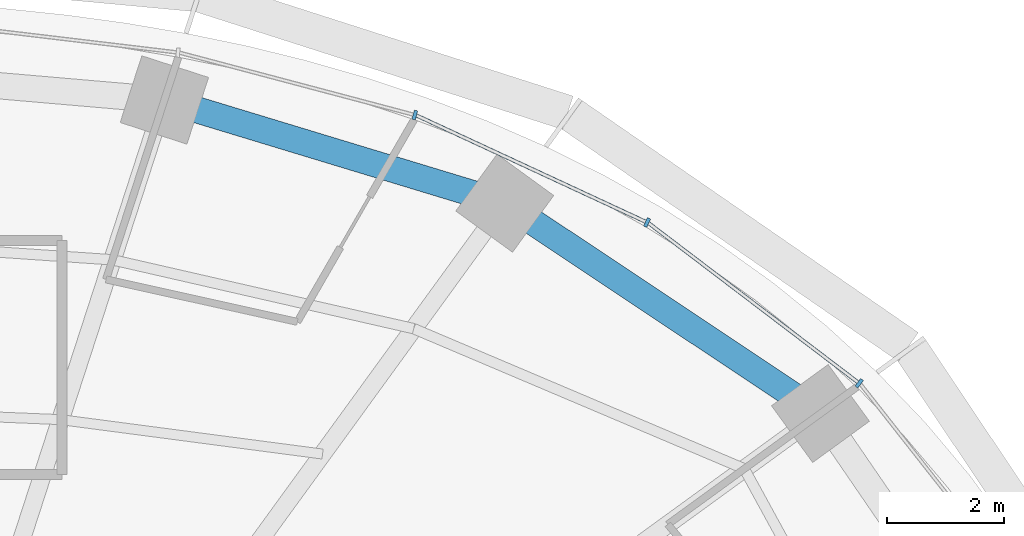
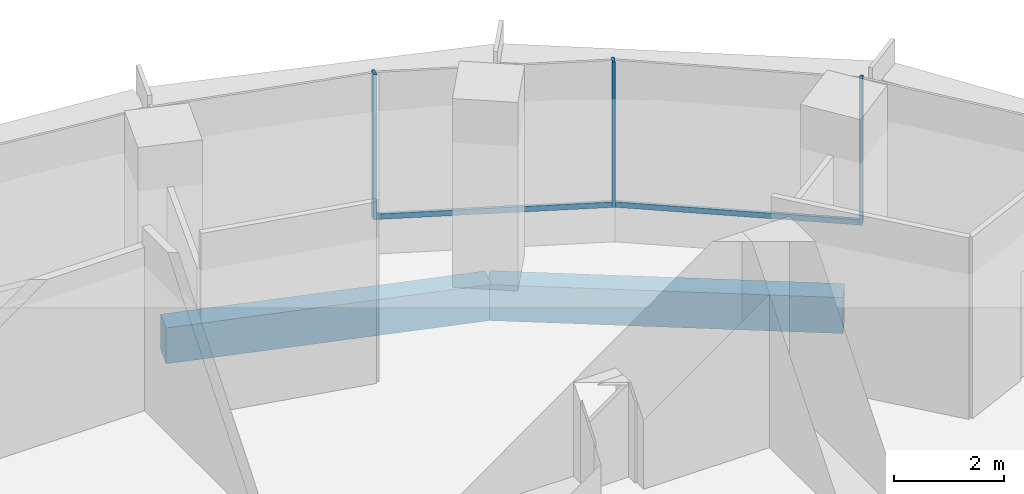
# One storey, part 7 of 13: 5 members, 2 beams, 2 elements without a shape of their own.
"""IFC4 building model written with IfcOpenShell, lengths in metres."""

from ifc_helpers import new_model, si_unit, direction, frame, origin, origin_2d, place, context, subcontext, project, spatial, rectangle, extrude, material, material_profile, profile_set, type_object, element, aggregate, save


model = new_model("IFC4")

# Units and contexts
model_context = context("Model", 3, precision=1e-05, world=origin(), true_north=direction((0.0, 1.0)))
body_context = subcontext(model_context, "Body", "Model", "MODEL_VIEW")
ifc_project = project(units=[si_unit("LENGTHUNIT", "METRE"), si_unit("AREAUNIT", "SQUARE_METRE"), si_unit("VOLUMEUNIT", "CUBIC_METRE"), si_unit("PLANEANGLEUNIT", "RADIAN"), si_unit("MASSUNIT", "GRAM", prefix="KILO")], contexts=[model_context])

# Site, building, storey
site_placement = place(None, origin())
site = spatial("IfcSite", under=ifc_project, at=site_placement, CompositionType="ELEMENT")
building_placement = place(site_placement, origin())
building = spatial("IfcBuilding", under=site, at=building_placement, Name="Marramba Exchange Tower", CompositionType="ELEMENT")
storey_placement = place(building_placement, frame((0.0, 0.0, 264.39990234375)))
storey = spatial("IfcBuildingStorey", under=building, at=storey_placement, Name="L64", CompositionType="ELEMENT", Elevation=264.39990234375)

# Curtain wall, members
ifc_material_1 = material(Name="Aluminium framing, bronze anodised", Category="aluminium")
curtain_wall_type = type_object("IfcCurtainWallType", Name="Executive floor ribbon curtain wall", PredefinedType="USERDEFINED", material=ifc_material_1)
curtain_wall_1_placement = place(storey_placement, origin())
curtain_wall_1 = element("IfcCurtainWall", 1, at=curtain_wall_1_placement, inside=storey, type_object=curtain_wall_type, Name="Curtain wall CW5 L64 F01-F05", ObjectType="RIBBON CURTAIN WALL", PredefinedType="USERDEFINED")
ifc_material_2 = material(Name="Aluminium mullion, bronze anodised", Category="aluminium")
ifc_material_profile_1 = material_profile(ifc_material_2, rectangle(XDim=0.159912109375, YDim=0.06005859375, at=origin_2d()), Name="CW5 mullion 60x160")
ifc_profile_set_1 = profile_set([ifc_material_profile_1], Name="Aluminium mullion, bronze anodised")
member_type_1 = type_object("IfcMemberType", Name="Executive floor ribbon curtain wall mullion", PredefinedType="MULLION", material=ifc_profile_set_1)
member_1_placement = place(storey_placement, frame((17.6494140625, 12.858642578125, 0.800048828125), z_axis=(0.0, 0.0, 1.0), x_axis=(-0.605219156516, -0.796058900199, 0.0)))
member_1 = element("IfcMember", 2, at=member_1_placement, type_object=member_type_1, Name="CW5 mullion 1", PredefinedType="MULLION", context=body_context, shape_type="SweptSolid", body=[
    extrude(rectangle(XDim=0.159912109375, YDim=0.06005859375, at=origin_2d()), origin(), (0.0, 0.0, 1.0), 3.239990234375),
])
member_2_placement = place(storey_placement, frame((14.01806640625, 15.611572265625, 0.800048828125), z_axis=(0.0, 0.0, 1.0), x_axis=(-0.420849274712, -0.90713057934, 0.0)))
member_2 = element("IfcMember", 3, at=member_2_placement, type_object=member_type_1, Name="CW5 mullion 1", PredefinedType="MULLION", context=body_context, shape_type="SweptSolid", body=[
    extrude(rectangle(XDim=0.159912109375, YDim=0.06005859375, at=origin_2d()), origin(), (0.0, 0.0, 1.0), 3.239990234375),
])

# Curtain wall, member
curtain_wall_2_placement = place(storey_placement, origin())
curtain_wall_2 = element("IfcCurtainWall", 4, at=curtain_wall_2_placement, inside=storey, type_object=curtain_wall_type, Name="Curtain wall CW5 L64 F06-F10", ObjectType="RIBBON CURTAIN WALL", PredefinedType="USERDEFINED")
member_3_placement = place(storey_placement, frame((10.04150390625, 17.450439453125, 0.800048828125), z_axis=(0.0, 0.0, 1.0), x_axis=(-0.256125574813, -0.966643517501, 0.0)))
member_3 = element("IfcMember", 5, at=member_3_placement, type_object=member_type_1, Name="CW5 mullion 1", PredefinedType="MULLION", context=body_context, shape_type="SweptSolid", body=[
    extrude(rectangle(XDim=0.159912109375, YDim=0.06005859375, at=origin_2d()), origin(), (0.0, 0.0, 1.0), 3.239990234375),
])
aggregate(curtain_wall_2, [member_3])

# Member
ifc_material_3 = material(Name="Aluminium transom, bronze anodised", Category="aluminium")
ifc_material_profile_2 = material_profile(ifc_material_3, rectangle(XDim=0.06005859375, YDim=0.1201171875, at=origin_2d()), Name="CW5 transom 60x120")
ifc_profile_set_2 = profile_set([ifc_material_profile_2], Name="Aluminium transom, bronze anodised")
member_type_2 = type_object("IfcMemberType", Name="Executive floor ribbon curtain wall transom", PredefinedType="USERDEFINED", material=ifc_profile_set_2)
member_4_placement = place(storey_placement, frame((17.625732421875, 12.876708984375, 0.830078125), z_axis=(-0.796061771764, 0.605215379461, 0.0), x_axis=(-0.605215379461, -0.796061771764, 0.0)))
member_4 = element("IfcMember", 6, at=member_4_placement, type_object=member_type_2, Name="CW5 sill transom", ObjectType="TRANSOM", PredefinedType="USERDEFINED", context=body_context, shape_type="SweptSolid", body=[
    extrude(rectangle(XDim=0.06005859375, YDim=0.1201171875, at=origin_2d()), origin(), (0.0, 0.0, 1.0), 4.497802734375),
])

member_5_placement = place(storey_placement, frame((13.99072265625, 15.6240234375, 0.830078125), z_axis=(-0.907117597316, 0.420877256026, 0.0), x_axis=(-0.420877256026, -0.907117597316, 0.0)))
member_5 = element("IfcMember", 7, at=member_5_placement, type_object=member_type_2, Name="CW5 sill transom", ObjectType="TRANSOM", PredefinedType="USERDEFINED", context=body_context, shape_type="SweptSolid", body=[
    extrude(rectangle(XDim=0.06005859375, YDim=0.1201171875, at=origin_2d()), origin(), (0.0, 0.0, 1.0), 4.321533203125),
])

aggregate(curtain_wall_1, [member_1, member_4, member_2, member_5])

# Beams
ifc_material_4 = material(Name="Concrete N50", Category="concrete")
ifc_material_profile_3 = material_profile(ifc_material_4, rectangle(XDim=0.449951171875, YDim=0.800048828125, at=origin_2d()), Name="RC 450x800")
ifc_profile_set_3 = profile_set([ifc_material_profile_3], Name="Concrete N50")
beam_type = type_object("IfcBeamType", Name="Ring beam RC 450x800 N50", PredefinedType="SPANDREL", material=ifc_profile_set_3)
beam_1_placement = place(storey_placement, frame((16.98583984375, 12.3408203125, -0.559814453125), z_axis=(-0.832293151443, 0.554335737673, 0.0), x_axis=(-0.554335737673, -0.832293151443, 0.0)))
element("IfcBeam", 8, at=beam_1_placement, inside=storey, type_object=beam_type, Name="Ring beam L64 TC03-TC04", PredefinedType="SPANDREL", context=body_context, shape_type="SweptSolid", body=[
    extrude(rectangle(XDim=0.449951171875, YDim=0.800048828125, at=origin_2d()), origin(), (0.0, 0.0, 1.0), 6.49365234375),
])
beam_2_placement = place(storey_placement, frame((11.581298828125, 15.9404296875, -0.559814453125), z_axis=(-0.956924542524, 0.290336735387, 0.0), x_axis=(-0.290336735387, -0.956924542524, 0.0)))
element("IfcBeam", 9, at=beam_2_placement, inside=storey, type_object=beam_type, Name="Ring beam L64 TC04-TC05", PredefinedType="SPANDREL", context=body_context, shape_type="SweptSolid", body=[
    extrude(rectangle(XDim=0.449951171875, YDim=0.800048828125, at=origin_2d()), origin(), (0.0, 0.0, 1.0), 6.089599609375),
])

save(model, "model.ifc")
